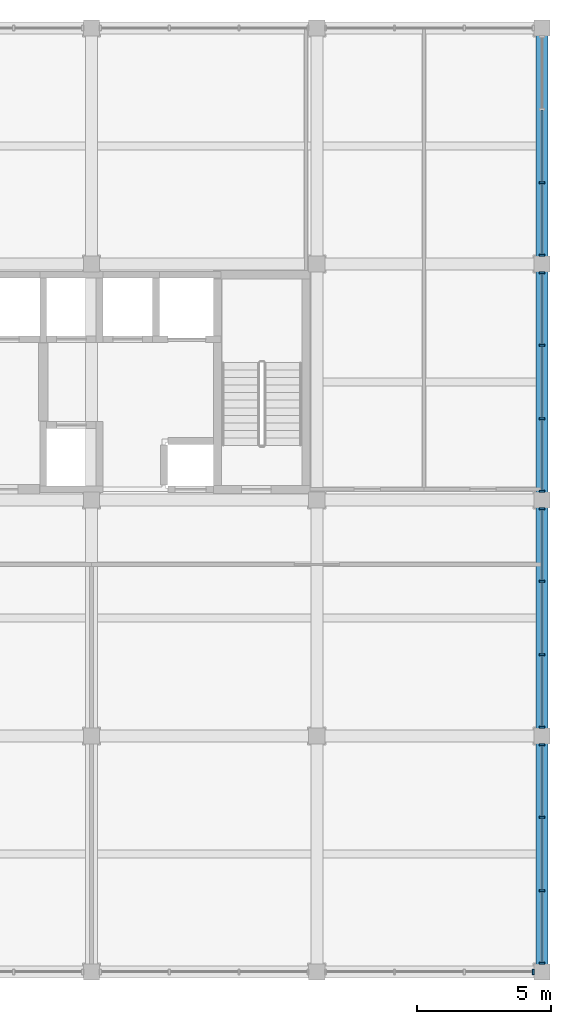
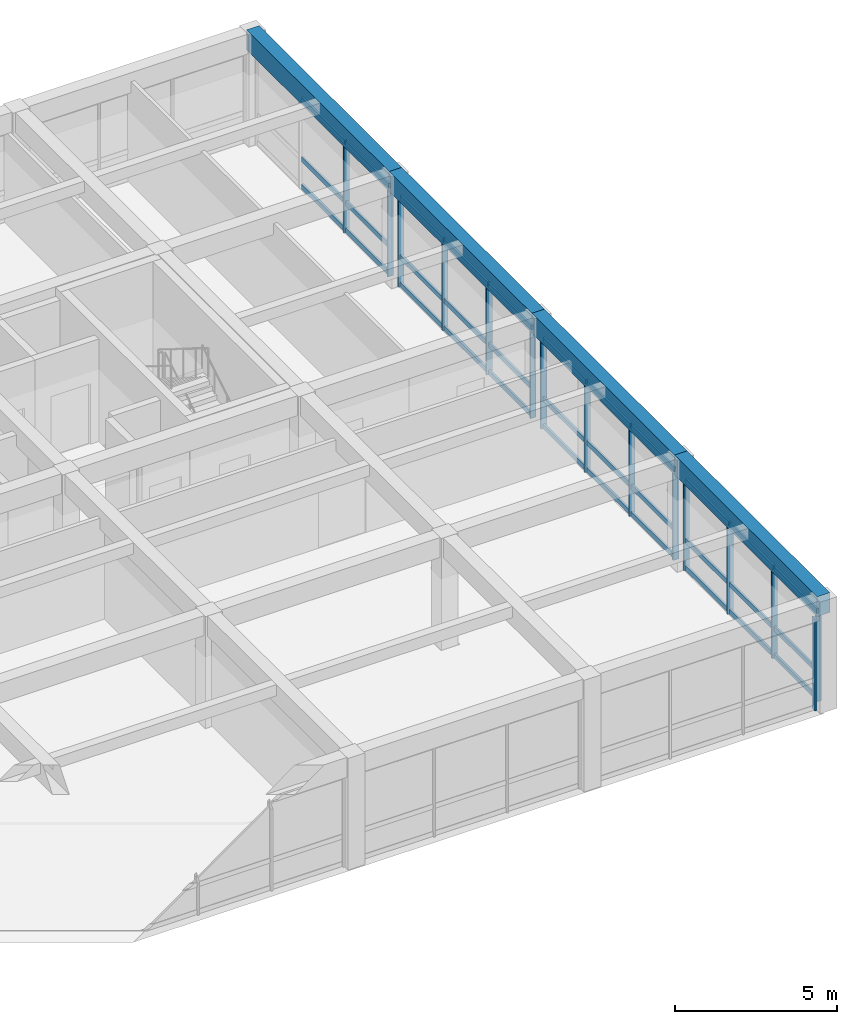
# One storey, part 5 of 14: 48 members, 4 beams, 5 elements without a shape of their own.
"""IFC4 building model written with IfcOpenShell, lengths in metres."""

from ifc_helpers import new_model, si_unit, direction, frame, origin, origin_2d, place, context, subcontext, project, spatial, rectangle, extrude, material, material_profile, profile_set, type_object, element, aggregate, save


model = new_model("IFC4")

# Units and contexts
model_context = context("Model", 3, precision=1e-05, world=origin(), true_north=direction((0.0, 1.0)))
body_context = subcontext(model_context, "Body", "Model", "MODEL_VIEW")
ifc_project = project(units=[si_unit("LENGTHUNIT", "METRE"), si_unit("AREAUNIT", "SQUARE_METRE"), si_unit("VOLUMEUNIT", "CUBIC_METRE"), si_unit("PLANEANGLEUNIT", "RADIAN"), si_unit("MASSUNIT", "GRAM", prefix="KILO")], contexts=[model_context])

# Site, building, storey
site_placement = place(None, origin())
site = spatial("IfcSite", under=ifc_project, at=site_placement, CompositionType="ELEMENT")
building_placement = place(site_placement, origin())
building = spatial("IfcBuilding", under=site, at=building_placement, Name="Kemercrest Conservatory and Botanical Centre", CompositionType="ELEMENT")
storey_placement = place(building_placement, frame((0.0, 0.0, 63.800048828125)))
storey = spatial("IfcBuildingStorey", under=building, at=storey_placement, Name="L16", CompositionType="ELEMENT", Elevation=63.800048828125)

# Curtain wall, member
ifc_material_1 = material(Name="Thermally broken aluminium and triple low-e glazing", Category="aluminium")
curtain_wall_type_1 = type_object("IfcCurtainWallType", Name="CW-15", PredefinedType="USERDEFINED", material=ifc_material_1)
curtain_wall_1_placement = place(storey_placement, origin())
curtain_wall_1 = element("IfcCurtainWall", 1, at=curtain_wall_1_placement, inside=storey, type_object=curtain_wall_type_1, Name="Unitised curtain wall CW-15 (CW:L16:V4-164)", ObjectType="UNITISED CURTAIN WALL", PredefinedType="USERDEFINED")
ifc_material_2 = material(Name="Thermally broken anodized aluminium 6063-T6", Category="aluminium")
ifc_material_profile_1 = material_profile(ifc_material_2, rectangle(XDim=0.199951171875, YDim=0.06494140625, at=origin_2d()), Name="AL MULLION 65x200")
ifc_profile_set_1 = profile_set([ifc_material_profile_1], Name="Thermally broken anodized aluminium 6063-T6")
member_type_1 = type_object("IfcMemberType", Name="CW-M200", PredefinedType="MULLION", material=ifc_profile_set_1)
member_1_placement = place(storey_placement, frame((175.672607421875, 87.199951171875, 0.0), z_axis=(0.0, 0.0, 1.0), x_axis=(0.0, 1.0, 0.0)))
member_1 = element("IfcMember", 2, at=member_1_placement, type_object=member_type_1, Name="CW-15 mullion 4", PredefinedType="MULLION", context=body_context, shape_type="SweptSolid", body=[
    extrude(rectangle(XDim=0.199951171875, YDim=0.06494140625, at=origin_2d()), origin(), (0.0, 0.0, 1.0), 3.454833984375),
])
aggregate(curtain_wall_1, [member_1])

# Curtain wall, members
curtain_wall_type_2 = type_object("IfcCurtainWallType", Name="CW-16", PredefinedType="USERDEFINED", material=ifc_material_1)
curtain_wall_2_placement = place(storey_placement, origin())
curtain_wall_2 = element("IfcCurtainWall", 3, at=curtain_wall_2_placement, inside=storey, type_object=curtain_wall_type_2, Name="Unitised curtain wall CW-16 (CW:L16:V4-165)", ObjectType="UNITISED CURTAIN WALL", PredefinedType="USERDEFINED")
member_2_placement = place(storey_placement, frame((176.0, 87.527587890625, 0.0), z_axis=(0.0, 0.0, 1.0), x_axis=(-1.0, 0.0, 0.0)))
member_2 = element("IfcMember", 4, at=member_2_placement, type_object=member_type_1, Name="CW-16 mullion 1", PredefinedType="MULLION", context=body_context, shape_type="SweptSolid", body=[
    extrude(rectangle(XDim=0.199951171875, YDim=0.06494140625, at=origin_2d()), origin(), (0.0, 0.0, 1.0), 3.454833984375),
])
member_3_placement = place(storey_placement, frame((176.0, 90.231689453125, 0.0), z_axis=(0.0, 0.0, 1.0), x_axis=(-1.0, 0.0, 0.0)))
member_3 = element("IfcMember", 5, at=member_3_placement, type_object=member_type_1, Name="CW-16 mullion 2", PredefinedType="MULLION", context=body_context, shape_type="SweptSolid", body=[
    extrude(rectangle(XDim=0.199951171875, YDim=0.06494140625, at=origin_2d()), origin(), (0.0, 0.0, 1.0), 3.454833984375),
])
member_4_placement = place(storey_placement, frame((176.0, 92.96826171875, 0.0), z_axis=(0.0, 0.0, 1.0), x_axis=(-1.0, 0.0, 0.0)))
member_4 = element("IfcMember", 6, at=member_4_placement, type_object=member_type_1, Name="CW-16 mullion 3", PredefinedType="MULLION", context=body_context, shape_type="SweptSolid", body=[
    extrude(rectangle(XDim=0.199951171875, YDim=0.06494140625, at=origin_2d()), origin(), (0.0, 0.0, 1.0), 3.454833984375),
])
member_5_placement = place(storey_placement, frame((176.0, 95.672607421875, 0.0), z_axis=(0.0, 0.0, 1.0), x_axis=(-1.0, 0.0, 0.0)))
member_5 = element("IfcMember", 7, at=member_5_placement, type_object=member_type_1, Name="CW-16 mullion 4", PredefinedType="MULLION", context=body_context, shape_type="SweptSolid", body=[
    extrude(rectangle(XDim=0.199951171875, YDim=0.06494140625, at=origin_2d()), origin(), (0.0, 0.0, 1.0), 3.454833984375),
])

curtain_wall_type_3 = type_object("IfcCurtainWallType", Name="CW-17", PredefinedType="USERDEFINED", material=ifc_material_1)
curtain_wall_3_placement = place(storey_placement, origin())
curtain_wall_3 = element("IfcCurtainWall", 8, at=curtain_wall_3_placement, inside=storey, type_object=curtain_wall_type_3, Name="Unitised curtain wall CW-17 (CW:L16:V4-166)", ObjectType="UNITISED CURTAIN WALL", PredefinedType="USERDEFINED")
member_6_placement = place(storey_placement, frame((176.0, 96.327392578125, 0.0), z_axis=(0.0, 0.0, 1.0), x_axis=(-1.0, 0.0, 0.0)))
member_6 = element("IfcMember", 9, at=member_6_placement, type_object=member_type_1, Name="CW-17 mullion 1", PredefinedType="MULLION", context=body_context, shape_type="SweptSolid", body=[
    extrude(rectangle(XDim=0.199951171875, YDim=0.06494140625, at=origin_2d()), origin(), (0.0, 0.0, 1.0), 3.454833984375),
])
member_7_placement = place(storey_placement, frame((176.0, 99.03173828125, 0.0), z_axis=(0.0, 0.0, 1.0), x_axis=(-1.0, 0.0, 0.0)))
member_7 = element("IfcMember", 10, at=member_7_placement, type_object=member_type_1, Name="CW-17 mullion 2", PredefinedType="MULLION", context=body_context, shape_type="SweptSolid", body=[
    extrude(rectangle(XDim=0.199951171875, YDim=0.06494140625, at=origin_2d()), origin(), (0.0, 0.0, 1.0), 3.454833984375),
])
member_8_placement = place(storey_placement, frame((176.0, 101.768310546875, 0.0), z_axis=(0.0, 0.0, 1.0), x_axis=(-1.0, 0.0, 0.0)))
member_8 = element("IfcMember", 11, at=member_8_placement, type_object=member_type_1, Name="CW-17 mullion 3", PredefinedType="MULLION", context=body_context, shape_type="SweptSolid", body=[
    extrude(rectangle(XDim=0.199951171875, YDim=0.06494140625, at=origin_2d()), origin(), (0.0, 0.0, 1.0), 3.454833984375),
])
member_9_placement = place(storey_placement, frame((176.0, 104.472412109375, 0.0), z_axis=(0.0, 0.0, 1.0), x_axis=(-1.0, 0.0, 0.0)))
member_9 = element("IfcMember", 12, at=member_9_placement, type_object=member_type_1, Name="CW-17 mullion 4", PredefinedType="MULLION", context=body_context, shape_type="SweptSolid", body=[
    extrude(rectangle(XDim=0.199951171875, YDim=0.06494140625, at=origin_2d()), origin(), (0.0, 0.0, 1.0), 3.454833984375),
])

curtain_wall_type_4 = type_object("IfcCurtainWallType", Name="CW-18", PredefinedType="USERDEFINED", material=ifc_material_1)
curtain_wall_4_placement = place(storey_placement, origin())
curtain_wall_4 = element("IfcCurtainWall", 13, at=curtain_wall_4_placement, inside=storey, type_object=curtain_wall_type_4, Name="Unitised curtain wall CW-18 (CW:L16:V4-167)", ObjectType="UNITISED CURTAIN WALL", PredefinedType="USERDEFINED")
member_10_placement = place(storey_placement, frame((176.0, 105.12744140625, 0.0), z_axis=(0.0, 0.0, 1.0), x_axis=(-1.0, 0.0, 0.0)))
member_10 = element("IfcMember", 14, at=member_10_placement, type_object=member_type_1, Name="CW-18 mullion 1", PredefinedType="MULLION", context=body_context, shape_type="SweptSolid", body=[
    extrude(rectangle(XDim=0.199951171875, YDim=0.06494140625, at=origin_2d()), origin(), (0.0, 0.0, 1.0), 3.454833984375),
])
member_11_placement = place(storey_placement, frame((176.0, 107.831787109375, 0.0), z_axis=(0.0, 0.0, 1.0), x_axis=(-1.0, 0.0, 0.0)))
member_11 = element("IfcMember", 15, at=member_11_placement, type_object=member_type_1, Name="CW-18 mullion 2", PredefinedType="MULLION", context=body_context, shape_type="SweptSolid", body=[
    extrude(rectangle(XDim=0.199951171875, YDim=0.06494140625, at=origin_2d()), origin(), (0.0, 0.0, 1.0), 3.454833984375),
])
member_12_placement = place(storey_placement, frame((176.0, 110.568359375, 0.0), z_axis=(0.0, 0.0, 1.0), x_axis=(-1.0, 0.0, 0.0)))
member_12 = element("IfcMember", 16, at=member_12_placement, type_object=member_type_1, Name="CW-18 mullion 3", PredefinedType="MULLION", context=body_context, shape_type="SweptSolid", body=[
    extrude(rectangle(XDim=0.199951171875, YDim=0.06494140625, at=origin_2d()), origin(), (0.0, 0.0, 1.0), 3.454833984375),
])
member_13_placement = place(storey_placement, frame((176.0, 113.2724609375, 0.0), z_axis=(0.0, 0.0, 1.0), x_axis=(-1.0, 0.0, 0.0)))
member_13 = element("IfcMember", 17, at=member_13_placement, type_object=member_type_1, Name="CW-18 mullion 4", PredefinedType="MULLION", context=body_context, shape_type="SweptSolid", body=[
    extrude(rectangle(XDim=0.199951171875, YDim=0.06494140625, at=origin_2d()), origin(), (0.0, 0.0, 1.0), 3.454833984375),
])

curtain_wall_type_5 = type_object("IfcCurtainWallType", Name="CW-19", PredefinedType="USERDEFINED", material=ifc_material_1)
curtain_wall_5_placement = place(storey_placement, origin())
curtain_wall_5 = element("IfcCurtainWall", 18, at=curtain_wall_5_placement, inside=storey, type_object=curtain_wall_type_5, Name="Unitised curtain wall CW-19 (CW:L16:V4-168)", ObjectType="UNITISED CURTAIN WALL", PredefinedType="USERDEFINED")
member_14_placement = place(storey_placement, frame((176.0, 113.927490234375, 0.0), z_axis=(0.0, 0.0, 1.0), x_axis=(-1.0, 0.0, 0.0)))
member_14 = element("IfcMember", 19, at=member_14_placement, type_object=member_type_1, Name="CW-19 mullion 1", PredefinedType="MULLION", context=body_context, shape_type="SweptSolid", body=[
    extrude(rectangle(XDim=0.199951171875, YDim=0.06494140625, at=origin_2d()), origin(), (0.0, 0.0, 1.0), 3.454833984375),
])
member_15_placement = place(storey_placement, frame((176.0, 116.631591796875, 0.0), z_axis=(0.0, 0.0, 1.0), x_axis=(-1.0, 0.0, 0.0)))
member_15 = element("IfcMember", 20, at=member_15_placement, type_object=member_type_1, Name="CW-19 mullion 2", PredefinedType="MULLION", context=body_context, shape_type="SweptSolid", body=[
    extrude(rectangle(XDim=0.199951171875, YDim=0.06494140625, at=origin_2d()), origin(), (0.0, 0.0, 1.0), 3.454833984375),
])

# Member
ifc_material_profile_2 = material_profile(ifc_material_2, rectangle(XDim=0.074951171875, YDim=0.179931640625, at=origin_2d()), Name="AL TRANSOM 75x180")
ifc_profile_set_2 = profile_set([ifc_material_profile_2], Name="Thermally broken anodized aluminium 6063-T6")
member_type_2 = type_object("IfcMemberType", Name="CW-T180", PredefinedType="USERDEFINED", material=ifc_profile_set_2)
member_16_placement = place(storey_placement, frame((176.0, 87.56005859375, 0.08984375), z_axis=(0.0, 1.0, 0.0), x_axis=(-1.0, 0.0, 0.0)))
member_16 = element("IfcMember", 21, at=member_16_placement, type_object=member_type_2, Name="CW-16 transom 1.1", ObjectType="TRANSOM", PredefinedType="USERDEFINED", context=body_context, shape_type="SweptSolid", body=[
    extrude(rectangle(XDim=0.074951171875, YDim=0.179931640625, at=origin_2d()), origin(), (0.0, 0.0, 1.0), 2.63916015625),
])

member_17_placement = place(storey_placement, frame((176.0, 87.56005859375, 1.119873046875), z_axis=(0.0, 1.0, 0.0), x_axis=(-1.0, 0.0, 0.0)))
member_17 = element("IfcMember", 22, at=member_17_placement, type_object=member_type_2, Name="CW-16 transom 1.2", ObjectType="TRANSOM", PredefinedType="USERDEFINED", context=body_context, shape_type="SweptSolid", body=[
    extrude(rectangle(XDim=0.074951171875, YDim=0.179931640625, at=origin_2d()), origin(), (0.0, 0.0, 1.0), 2.63916015625),
])

member_18_placement = place(storey_placement, frame((176.0, 87.56005859375, 3.364990234375), z_axis=(0.0, 1.0, 0.0), x_axis=(-1.0, 0.0, 0.0)))
member_18 = element("IfcMember", 23, at=member_18_placement, type_object=member_type_2, Name="CW-16 transom 1.3", ObjectType="TRANSOM", PredefinedType="USERDEFINED", context=body_context, shape_type="SweptSolid", body=[
    extrude(rectangle(XDim=0.074951171875, YDim=0.179931640625, at=origin_2d()), origin(), (0.0, 0.0, 1.0), 2.63916015625),
])

member_19_placement = place(storey_placement, frame((176.0, 90.26416015625, 0.08984375), z_axis=(0.0, 1.0, 0.0), x_axis=(-1.0, 0.0, 0.0)))
member_19 = element("IfcMember", 24, at=member_19_placement, type_object=member_type_2, Name="CW-16 transom 2.1", ObjectType="TRANSOM", PredefinedType="USERDEFINED", context=body_context, shape_type="SweptSolid", body=[
    extrude(rectangle(XDim=0.074951171875, YDim=0.179931640625, at=origin_2d()), origin(), (0.0, 0.0, 1.0), 2.671630859375),
])

member_20_placement = place(storey_placement, frame((176.0, 90.26416015625, 1.119873046875), z_axis=(0.0, 1.0, 0.0), x_axis=(-1.0, 0.0, 0.0)))
member_20 = element("IfcMember", 25, at=member_20_placement, type_object=member_type_2, Name="CW-16 transom 2.2", ObjectType="TRANSOM", PredefinedType="USERDEFINED", context=body_context, shape_type="SweptSolid", body=[
    extrude(rectangle(XDim=0.074951171875, YDim=0.179931640625, at=origin_2d()), origin(), (0.0, 0.0, 1.0), 2.671630859375),
])

member_21_placement = place(storey_placement, frame((176.0, 90.26416015625, 3.364990234375), z_axis=(0.0, 1.0, 0.0), x_axis=(-1.0, 0.0, 0.0)))
member_21 = element("IfcMember", 26, at=member_21_placement, type_object=member_type_2, Name="CW-16 transom 2.3", ObjectType="TRANSOM", PredefinedType="USERDEFINED", context=body_context, shape_type="SweptSolid", body=[
    extrude(rectangle(XDim=0.074951171875, YDim=0.179931640625, at=origin_2d()), origin(), (0.0, 0.0, 1.0), 2.671630859375),
])

member_22_placement = place(storey_placement, frame((176.0, 93.000732421875, 0.08984375), z_axis=(0.0, 1.0, 0.0), x_axis=(-1.0, 0.0, 0.0)))
member_22 = element("IfcMember", 27, at=member_22_placement, type_object=member_type_2, Name="CW-16 transom 3.1", ObjectType="TRANSOM", PredefinedType="USERDEFINED", context=body_context, shape_type="SweptSolid", body=[
    extrude(rectangle(XDim=0.074951171875, YDim=0.179931640625, at=origin_2d()), origin(), (0.0, 0.0, 1.0), 2.63916015625),
])

member_23_placement = place(storey_placement, frame((176.0, 93.000732421875, 1.119873046875), z_axis=(0.0, 1.0, 0.0), x_axis=(-1.0, 0.0, 0.0)))
member_23 = element("IfcMember", 28, at=member_23_placement, type_object=member_type_2, Name="CW-16 transom 3.2", ObjectType="TRANSOM", PredefinedType="USERDEFINED", context=body_context, shape_type="SweptSolid", body=[
    extrude(rectangle(XDim=0.074951171875, YDim=0.179931640625, at=origin_2d()), origin(), (0.0, 0.0, 1.0), 2.63916015625),
])

member_24_placement = place(storey_placement, frame((176.0, 93.000732421875, 3.364990234375), z_axis=(0.0, 1.0, 0.0), x_axis=(-1.0, 0.0, 0.0)))
member_24 = element("IfcMember", 29, at=member_24_placement, type_object=member_type_2, Name="CW-16 transom 3.3", ObjectType="TRANSOM", PredefinedType="USERDEFINED", context=body_context, shape_type="SweptSolid", body=[
    extrude(rectangle(XDim=0.074951171875, YDim=0.179931640625, at=origin_2d()), origin(), (0.0, 0.0, 1.0), 2.63916015625),
])

aggregate(curtain_wall_2, [member_2, member_3, member_4, member_5, member_16, member_17, member_18, member_19, member_20, member_21, member_22, member_23, member_24])

member_25_placement = place(storey_placement, frame((176.0, 96.360107421875, 0.08984375), z_axis=(0.0, 1.0, 0.0), x_axis=(-1.0, 0.0, 0.0)))
member_25 = element("IfcMember", 30, at=member_25_placement, type_object=member_type_2, Name="CW-17 transom 1.1", ObjectType="TRANSOM", PredefinedType="USERDEFINED", context=body_context, shape_type="SweptSolid", body=[
    extrude(rectangle(XDim=0.074951171875, YDim=0.179931640625, at=origin_2d()), origin(), (0.0, 0.0, 1.0), 2.63916015625),
])

member_26_placement = place(storey_placement, frame((176.0, 96.360107421875, 1.119873046875), z_axis=(0.0, 1.0, 0.0), x_axis=(-1.0, 0.0, 0.0)))
member_26 = element("IfcMember", 31, at=member_26_placement, type_object=member_type_2, Name="CW-17 transom 1.2", ObjectType="TRANSOM", PredefinedType="USERDEFINED", context=body_context, shape_type="SweptSolid", body=[
    extrude(rectangle(XDim=0.074951171875, YDim=0.179931640625, at=origin_2d()), origin(), (0.0, 0.0, 1.0), 2.63916015625),
])

member_27_placement = place(storey_placement, frame((176.0, 96.360107421875, 3.364990234375), z_axis=(0.0, 1.0, 0.0), x_axis=(-1.0, 0.0, 0.0)))
member_27 = element("IfcMember", 32, at=member_27_placement, type_object=member_type_2, Name="CW-17 transom 1.3", ObjectType="TRANSOM", PredefinedType="USERDEFINED", context=body_context, shape_type="SweptSolid", body=[
    extrude(rectangle(XDim=0.074951171875, YDim=0.179931640625, at=origin_2d()), origin(), (0.0, 0.0, 1.0), 2.63916015625),
])

member_28_placement = place(storey_placement, frame((176.0, 99.064208984375, 0.08984375), z_axis=(0.0, 1.0, 0.0), x_axis=(-1.0, 0.0, 0.0)))
member_28 = element("IfcMember", 33, at=member_28_placement, type_object=member_type_2, Name="CW-17 transom 2.1", ObjectType="TRANSOM", PredefinedType="USERDEFINED", context=body_context, shape_type="SweptSolid", body=[
    extrude(rectangle(XDim=0.074951171875, YDim=0.179931640625, at=origin_2d()), origin(), (0.0, 0.0, 1.0), 2.671630859375),
])

member_29_placement = place(storey_placement, frame((176.0, 99.064208984375, 1.119873046875), z_axis=(0.0, 1.0, 0.0), x_axis=(-1.0, 0.0, 0.0)))
member_29 = element("IfcMember", 34, at=member_29_placement, type_object=member_type_2, Name="CW-17 transom 2.2", ObjectType="TRANSOM", PredefinedType="USERDEFINED", context=body_context, shape_type="SweptSolid", body=[
    extrude(rectangle(XDim=0.074951171875, YDim=0.179931640625, at=origin_2d()), origin(), (0.0, 0.0, 1.0), 2.671630859375),
])

member_30_placement = place(storey_placement, frame((176.0, 99.064208984375, 3.364990234375), z_axis=(0.0, 1.0, 0.0), x_axis=(-1.0, 0.0, 0.0)))
member_30 = element("IfcMember", 35, at=member_30_placement, type_object=member_type_2, Name="CW-17 transom 2.3", ObjectType="TRANSOM", PredefinedType="USERDEFINED", context=body_context, shape_type="SweptSolid", body=[
    extrude(rectangle(XDim=0.074951171875, YDim=0.179931640625, at=origin_2d()), origin(), (0.0, 0.0, 1.0), 2.671630859375),
])

member_31_placement = place(storey_placement, frame((176.0, 101.80078125, 0.08984375), z_axis=(0.0, 1.0, 0.0), x_axis=(-1.0, 0.0, 0.0)))
member_31 = element("IfcMember", 36, at=member_31_placement, type_object=member_type_2, Name="CW-17 transom 3.1", ObjectType="TRANSOM", PredefinedType="USERDEFINED", context=body_context, shape_type="SweptSolid", body=[
    extrude(rectangle(XDim=0.074951171875, YDim=0.179931640625, at=origin_2d()), origin(), (0.0, 0.0, 1.0), 2.63916015625),
])

member_32_placement = place(storey_placement, frame((176.0, 101.80078125, 1.119873046875), z_axis=(0.0, 1.0, 0.0), x_axis=(-1.0, 0.0, 0.0)))
member_32 = element("IfcMember", 37, at=member_32_placement, type_object=member_type_2, Name="CW-17 transom 3.2", ObjectType="TRANSOM", PredefinedType="USERDEFINED", context=body_context, shape_type="SweptSolid", body=[
    extrude(rectangle(XDim=0.074951171875, YDim=0.179931640625, at=origin_2d()), origin(), (0.0, 0.0, 1.0), 2.63916015625),
])

member_33_placement = place(storey_placement, frame((176.0, 101.80078125, 3.364990234375), z_axis=(0.0, 1.0, 0.0), x_axis=(-1.0, 0.0, 0.0)))
member_33 = element("IfcMember", 38, at=member_33_placement, type_object=member_type_2, Name="CW-17 transom 3.3", ObjectType="TRANSOM", PredefinedType="USERDEFINED", context=body_context, shape_type="SweptSolid", body=[
    extrude(rectangle(XDim=0.074951171875, YDim=0.179931640625, at=origin_2d()), origin(), (0.0, 0.0, 1.0), 2.63916015625),
])

aggregate(curtain_wall_3, [member_6, member_7, member_8, member_9, member_25, member_26, member_27, member_28, member_29, member_30, member_31, member_32, member_33])

member_34_placement = place(storey_placement, frame((176.0, 105.159912109375, 0.08984375), z_axis=(0.0, 1.0, 0.0), x_axis=(-1.0, 0.0, 0.0)))
member_34 = element("IfcMember", 39, at=member_34_placement, type_object=member_type_2, Name="CW-18 transom 1.1", ObjectType="TRANSOM", PredefinedType="USERDEFINED", context=body_context, shape_type="SweptSolid", body=[
    extrude(rectangle(XDim=0.074951171875, YDim=0.179931640625, at=origin_2d()), origin(), (0.0, 0.0, 1.0), 2.63916015625),
])

member_35_placement = place(storey_placement, frame((176.0, 105.159912109375, 1.119873046875), z_axis=(0.0, 1.0, 0.0), x_axis=(-1.0, 0.0, 0.0)))
member_35 = element("IfcMember", 40, at=member_35_placement, type_object=member_type_2, Name="CW-18 transom 1.2", ObjectType="TRANSOM", PredefinedType="USERDEFINED", context=body_context, shape_type="SweptSolid", body=[
    extrude(rectangle(XDim=0.074951171875, YDim=0.179931640625, at=origin_2d()), origin(), (0.0, 0.0, 1.0), 2.63916015625),
])

member_36_placement = place(storey_placement, frame((176.0, 105.159912109375, 3.364990234375), z_axis=(0.0, 1.0, 0.0), x_axis=(-1.0, 0.0, 0.0)))
member_36 = element("IfcMember", 41, at=member_36_placement, type_object=member_type_2, Name="CW-18 transom 1.3", ObjectType="TRANSOM", PredefinedType="USERDEFINED", context=body_context, shape_type="SweptSolid", body=[
    extrude(rectangle(XDim=0.074951171875, YDim=0.179931640625, at=origin_2d()), origin(), (0.0, 0.0, 1.0), 2.63916015625),
])

member_37_placement = place(storey_placement, frame((176.0, 107.8642578125, 0.08984375), z_axis=(0.0, 1.0, 0.0), x_axis=(-1.0, 0.0, 0.0)))
member_37 = element("IfcMember", 42, at=member_37_placement, type_object=member_type_2, Name="CW-18 transom 2.1", ObjectType="TRANSOM", PredefinedType="USERDEFINED", context=body_context, shape_type="SweptSolid", body=[
    extrude(rectangle(XDim=0.074951171875, YDim=0.179931640625, at=origin_2d()), origin(), (0.0, 0.0, 1.0), 2.671630859375),
])

member_38_placement = place(storey_placement, frame((176.0, 107.8642578125, 1.119873046875), z_axis=(0.0, 1.0, 0.0), x_axis=(-1.0, 0.0, 0.0)))
member_38 = element("IfcMember", 43, at=member_38_placement, type_object=member_type_2, Name="CW-18 transom 2.2", ObjectType="TRANSOM", PredefinedType="USERDEFINED", context=body_context, shape_type="SweptSolid", body=[
    extrude(rectangle(XDim=0.074951171875, YDim=0.179931640625, at=origin_2d()), origin(), (0.0, 0.0, 1.0), 2.671630859375),
])

member_39_placement = place(storey_placement, frame((176.0, 107.8642578125, 3.364990234375), z_axis=(0.0, 1.0, 0.0), x_axis=(-1.0, 0.0, 0.0)))
member_39 = element("IfcMember", 44, at=member_39_placement, type_object=member_type_2, Name="CW-18 transom 2.3", ObjectType="TRANSOM", PredefinedType="USERDEFINED", context=body_context, shape_type="SweptSolid", body=[
    extrude(rectangle(XDim=0.074951171875, YDim=0.179931640625, at=origin_2d()), origin(), (0.0, 0.0, 1.0), 2.671630859375),
])

member_40_placement = place(storey_placement, frame((176.0, 110.600830078125, 0.08984375), z_axis=(0.0, 1.0, 0.0), x_axis=(-1.0, 0.0, 0.0)))
member_40 = element("IfcMember", 45, at=member_40_placement, type_object=member_type_2, Name="CW-18 transom 3.1", ObjectType="TRANSOM", PredefinedType="USERDEFINED", context=body_context, shape_type="SweptSolid", body=[
    extrude(rectangle(XDim=0.074951171875, YDim=0.179931640625, at=origin_2d()), origin(), (0.0, 0.0, 1.0), 2.63916015625),
])

member_41_placement = place(storey_placement, frame((176.0, 110.600830078125, 1.119873046875), z_axis=(0.0, 1.0, 0.0), x_axis=(-1.0, 0.0, 0.0)))
member_41 = element("IfcMember", 46, at=member_41_placement, type_object=member_type_2, Name="CW-18 transom 3.2", ObjectType="TRANSOM", PredefinedType="USERDEFINED", context=body_context, shape_type="SweptSolid", body=[
    extrude(rectangle(XDim=0.074951171875, YDim=0.179931640625, at=origin_2d()), origin(), (0.0, 0.0, 1.0), 2.63916015625),
])

member_42_placement = place(storey_placement, frame((176.0, 110.600830078125, 3.364990234375), z_axis=(0.0, 1.0, 0.0), x_axis=(-1.0, 0.0, 0.0)))
member_42 = element("IfcMember", 47, at=member_42_placement, type_object=member_type_2, Name="CW-18 transom 3.3", ObjectType="TRANSOM", PredefinedType="USERDEFINED", context=body_context, shape_type="SweptSolid", body=[
    extrude(rectangle(XDim=0.074951171875, YDim=0.179931640625, at=origin_2d()), origin(), (0.0, 0.0, 1.0), 2.63916015625),
])

aggregate(curtain_wall_4, [member_10, member_11, member_12, member_13, member_34, member_35, member_36, member_37, member_38, member_39, member_40, member_41, member_42])

member_43_placement = place(storey_placement, frame((176.0, 113.9599609375, 0.08984375), z_axis=(0.0, 1.0, 0.0), x_axis=(-1.0, 0.0, 0.0)))
member_43 = element("IfcMember", 48, at=member_43_placement, type_object=member_type_2, Name="CW-19 transom 1.1", ObjectType="TRANSOM", PredefinedType="USERDEFINED", context=body_context, shape_type="SweptSolid", body=[
    extrude(rectangle(XDim=0.074951171875, YDim=0.179931640625, at=origin_2d()), origin(), (0.0, 0.0, 1.0), 2.63916015625),
])

member_44_placement = place(storey_placement, frame((176.0, 113.9599609375, 1.119873046875), z_axis=(0.0, 1.0, 0.0), x_axis=(-1.0, 0.0, 0.0)))
member_44 = element("IfcMember", 49, at=member_44_placement, type_object=member_type_2, Name="CW-19 transom 1.2", ObjectType="TRANSOM", PredefinedType="USERDEFINED", context=body_context, shape_type="SweptSolid", body=[
    extrude(rectangle(XDim=0.074951171875, YDim=0.179931640625, at=origin_2d()), origin(), (0.0, 0.0, 1.0), 2.63916015625),
])

member_45_placement = place(storey_placement, frame((176.0, 113.9599609375, 3.364990234375), z_axis=(0.0, 1.0, 0.0), x_axis=(-1.0, 0.0, 0.0)))
member_45 = element("IfcMember", 50, at=member_45_placement, type_object=member_type_2, Name="CW-19 transom 1.3", ObjectType="TRANSOM", PredefinedType="USERDEFINED", context=body_context, shape_type="SweptSolid", body=[
    extrude(rectangle(XDim=0.074951171875, YDim=0.179931640625, at=origin_2d()), origin(), (0.0, 0.0, 1.0), 2.63916015625),
])

member_46_placement = place(storey_placement, frame((176.0, 116.6640625, 0.08984375), z_axis=(0.0, 1.0, 0.0), x_axis=(-1.0, 0.0, 0.0)))
member_46 = element("IfcMember", 51, at=member_46_placement, type_object=member_type_2, Name="CW-19 transom 2.1", ObjectType="TRANSOM", PredefinedType="USERDEFINED", context=body_context, shape_type="SweptSolid", body=[
    extrude(rectangle(XDim=0.074951171875, YDim=0.179931640625, at=origin_2d()), origin(), (0.0, 0.0, 1.0), 2.671875),
])

member_47_placement = place(storey_placement, frame((176.0, 116.6640625, 1.119873046875), z_axis=(0.0, 1.0, 0.0), x_axis=(-1.0, 0.0, 0.0)))
member_47 = element("IfcMember", 52, at=member_47_placement, type_object=member_type_2, Name="CW-19 transom 2.2", ObjectType="TRANSOM", PredefinedType="USERDEFINED", context=body_context, shape_type="SweptSolid", body=[
    extrude(rectangle(XDim=0.074951171875, YDim=0.179931640625, at=origin_2d()), origin(), (0.0, 0.0, 1.0), 2.671875),
])

member_48_placement = place(storey_placement, frame((176.0, 116.6640625, 3.364990234375), z_axis=(0.0, 1.0, 0.0), x_axis=(-1.0, 0.0, 0.0)))
member_48 = element("IfcMember", 53, at=member_48_placement, type_object=member_type_2, Name="CW-19 transom 2.3", ObjectType="TRANSOM", PredefinedType="USERDEFINED", context=body_context, shape_type="SweptSolid", body=[
    extrude(rectangle(XDim=0.074951171875, YDim=0.179931640625, at=origin_2d()), origin(), (0.0, 0.0, 1.0), 2.671875),
])

aggregate(curtain_wall_5, [member_14, member_15, member_43, member_44, member_45, member_46, member_47, member_48])

# Beams
ifc_material_3 = material(Name="Concrete C40/50", Category="concrete")
ifc_material_profile_3 = material_profile(ifc_material_3, rectangle(XDim=0.449951171875, YDim=0.75, at=origin_2d()), Name="RC 450x750")
ifc_profile_set_3 = profile_set([ifc_material_profile_3], Name="Concrete C40/50")
beam_type = type_object("IfcBeamType", Name="SP-RC75", PredefinedType="SPANDREL", material=ifc_profile_set_3)
for number, where, z_axis, x_axis, name in (
    (54, (176.0, 87.199951171875, 3.824951171875), (0.0, 1.0, 0.0), (-1.0, 0.0, 0.0), "V4-RF beam SP-RC75 21/K-L"),
    (55, (176.0, 96.0, 3.824951171875), (0.0, 1.0, 0.0), (-1.0, 0.0, 0.0), "V4-RF beam SP-RC75 21/L-M"),
    (56, (176.0, 104.800048828125, 3.824951171875), (0.0, 1.0, 0.0), (-1.0, 0.0, 0.0), "V4-RF beam SP-RC75 21/M-N"),
):
    element("IfcBeam", number, at=place(storey_placement, frame(where, z_axis=z_axis, x_axis=x_axis)), inside=storey, type_object=beam_type, Name=name, PredefinedType="SPANDREL", context=body_context, shape_type="SweptSolid", body=[
        extrude(rectangle(XDim=0.449951171875, YDim=0.75, at=origin_2d()), origin(), (0.0, 0.0, 1.0), 8.800048828125),
    ])
beam_placement = place(storey_placement, frame((176.0, 113.60009765625, 3.824951171875), z_axis=(0.0, 1.0, 0.0), x_axis=(-1.0, 0.0, 0.0)))
element("IfcBeam", 57, at=beam_placement, inside=storey, type_object=beam_type, Name="V4-RF beam SP-RC75 21/N-P", PredefinedType="SPANDREL", context=body_context, shape_type="SweptSolid", body=[
    extrude(rectangle(XDim=0.449951171875, YDim=0.75, at=origin_2d()), origin(), (0.0, 0.0, 1.0), 8.7998046875),
])

save(model, "model.ifc")
